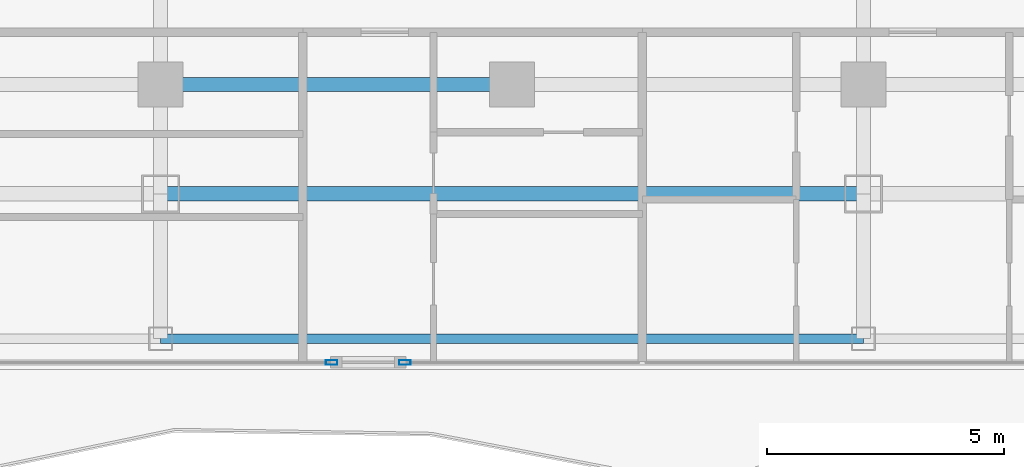
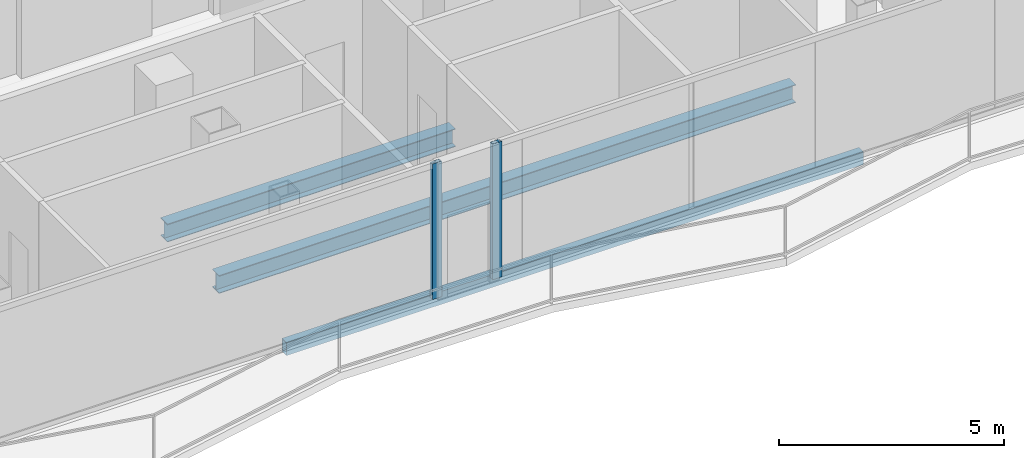
# One storey, part 4 of 24: 3 beams, 2 members, 2 elements without a shape of their own.
"""IFC4 building model written with IfcOpenShell, lengths in metres."""

from ifc_helpers import new_model, si_unit, direction, frame, origin, origin_2d, place, context, subcontext, project, spatial, hollow_rectangle, i_section, extrude, material, layer, layer_set, material_profile, profile_set, type_object, element, aggregate, save


model = new_model("IFC4")

# Units and contexts
model_context = context("Model", 3, precision=1e-05, world=origin(), true_north=direction((0.0, 1.0)))
body_context = subcontext(model_context, "Body", "Model", "MODEL_VIEW")
ifc_project = project(units=[si_unit("LENGTHUNIT", "METRE"), si_unit("AREAUNIT", "SQUARE_METRE"), si_unit("VOLUMEUNIT", "CUBIC_METRE"), si_unit("PLANEANGLEUNIT", "RADIAN"), si_unit("MASSUNIT", "GRAM", prefix="KILO")], contexts=[model_context])

# Site, building, storey
site_placement = place(None, origin())
site = spatial("IfcSite", under=ifc_project, at=site_placement, CompositionType="ELEMENT")
building_placement = place(site_placement, origin())
building = spatial("IfcBuilding", under=site, at=building_placement, Name="Khorvyn Point Tower", CompositionType="ELEMENT")
storey_placement = place(building_placement, frame((0.0, 0.0, 301.5)))
storey = spatial("IfcBuildingStorey", under=building, at=storey_placement, Name="L74", CompositionType="ELEMENT", Elevation=301.5)

# Curtain wall, member
ifc_material_1 = material(Name="Anodised aluminium 6063-T6 and laminated Low-E glass", Category="aluminium")
ifc_layer = layer(ifc_material_1, 0.18994140625)
ifc_layer_set = layer_set([ifc_layer], Name="Stick-Built High-Wind Curtain Wall CW-SYS-04")
curtain_wall_type = type_object("IfcCurtainWallType", Name="Stick-Built High-Wind Curtain Wall CW-SYS-04", PredefinedType="NOTDEFINED", material=ifc_layer_set)
curtain_wall_1_placement = place(storey_placement, origin())
curtain_wall_1 = element("IfcCurtainWall", 1, at=curtain_wall_1_placement, inside=storey, type_object=curtain_wall_type, Name="Curtain Wall", PredefinedType="NOTDEFINED")
ifc_material_2 = material(Name="Anodised aluminium 6063-T6", Category="aluminium")
ifc_material_profile_1 = material_profile(ifc_material_2, hollow_rectangle(XDim=0.10009765625, YDim=0.239990234375, WallThickness=0.0048828125, at=origin_2d()))
ifc_profile_set_1 = profile_set([ifc_material_profile_1], Name="Anodised aluminium 6063-T6 ALU-MUL-100x240")
member_type = type_object("IfcMemberType", Name="Anodised Aluminium 6063-T6 Mullion ALU-MUL-100x240", PredefinedType="MULLION", material=ifc_profile_set_1)
member_1_placement = place(storey_placement, frame((-2.257080078125, -20.64990234375, 0.0), z_axis=(0.0, 0.0, 1.0), x_axis=(0.0, -1.0, 0.0)))
member_1 = element("IfcMember", 2, at=member_1_placement, type_object=member_type, Name="Transom", PredefinedType="MULLION", context=body_context, shape_type="SweptSolid", body=[
    extrude(hollow_rectangle(XDim=0.10009765625, YDim=0.239990234375, WallThickness=0.0048828125, at=origin_2d()), origin(), (0.0, 0.0, 1.0), 3.679931640625),
])
aggregate(curtain_wall_1, [member_1])

curtain_wall_2_placement = place(storey_placement, origin())
curtain_wall_2 = element("IfcCurtainWall", 3, at=curtain_wall_2_placement, inside=storey, type_object=curtain_wall_type, Name="Curtain Wall", PredefinedType="NOTDEFINED")
member_2_placement = place(storey_placement, frame((-3.797119140625, -20.64990234375, 0.0), z_axis=(0.0, 0.0, 1.0), x_axis=(0.0, -1.0, 0.0)))
member_2 = element("IfcMember", 4, at=member_2_placement, type_object=member_type, Name="Transom", PredefinedType="MULLION", context=body_context, shape_type="SweptSolid", body=[
    extrude(hollow_rectangle(XDim=0.10009765625, YDim=0.239990234375, WallThickness=0.0048828125, at=origin_2d()), origin(), (0.0, 0.0, 1.0), 3.679931640625),
])
aggregate(curtain_wall_2, [member_2])

# Beams
ifc_material_3 = material(Name="Steel S355", Category="steel")
ifc_material_profile_2 = material_profile(ifc_material_3, i_section(OverallWidth=0.300048828125, OverallDepth=0.488037109375, WebThickness=0.010986328125, FlangeThickness=0.01806640625, at=origin_2d()))
ifc_profile_set_2 = profile_set([ifc_material_profile_2], Name="Steel S355 H488x300x11x18")
beam_type_1 = type_object("IfcBeamType", Name="Steel S355 Spandrel H488x300x11x18", PredefinedType="SPANDREL", material=ifc_profile_set_2)
beam_1_placement = place(storey_placement, frame((-7.39990234375, -14.800048828125, -0.464111328125), z_axis=(1.0, 0.0, 0.0), x_axis=(0.0, 1.0, 0.0)))
element("IfcBeam", 5, at=beam_1_placement, inside=storey, type_object=beam_type_1, Name="Beam", PredefinedType="SPANDREL", context=body_context, shape_type="SweptSolid", body=[
    extrude(i_section(OverallWidth=0.300048828125, OverallDepth=0.488037109375, WebThickness=0.010986328125, FlangeThickness=0.01806640625, at=origin_2d()), origin(), (0.0, 0.0, 1.0), 7.39990234375),
])
beam_2_placement = place(storey_placement, frame((-7.39990234375, -17.10009765625, -0.464111328125), z_axis=(1.0, 0.0, 0.0), x_axis=(0.0, 1.0, 0.0)))
element("IfcBeam", 6, at=beam_2_placement, inside=storey, type_object=beam_type_1, Name="Beam", PredefinedType="SPANDREL", context=body_context, shape_type="SweptSolid", body=[
    extrude(i_section(OverallWidth=0.300048828125, OverallDepth=0.488037109375, WebThickness=0.010986328125, FlangeThickness=0.01806640625, at=origin_2d()), origin(), (0.0, 0.0, 1.0), 14.7998046875),
])
ifc_material_profile_3 = material_profile(ifc_material_3, hollow_rectangle(XDim=0.199951171875, YDim=0.35009765625, WallThickness=0.013916015625, at=origin_2d()))
ifc_profile_set_3 = profile_set([ifc_material_profile_3], Name="Steel S355 RHS350x200x14")
beam_type_2 = type_object("IfcBeamType", Name="Steel S355 Spandrel RHS350x200x14", PredefinedType="SPANDREL", material=ifc_profile_set_3)
beam_3_placement = place(storey_placement, frame((-7.39990234375, -20.14990234375, -0.39501953125), z_axis=(1.0, 0.0, 0.0), x_axis=(0.0, 1.0, 0.0)))
element("IfcBeam", 7, at=beam_3_placement, inside=storey, type_object=beam_type_2, Name="Beam", PredefinedType="SPANDREL", context=body_context, shape_type="SweptSolid", body=[
    extrude(hollow_rectangle(XDim=0.199951171875, YDim=0.35009765625, WallThickness=0.013916015625, at=origin_2d()), origin(), (0.0, 0.0, 1.0), 14.7998046875),
])

save(model, "model.ifc")
